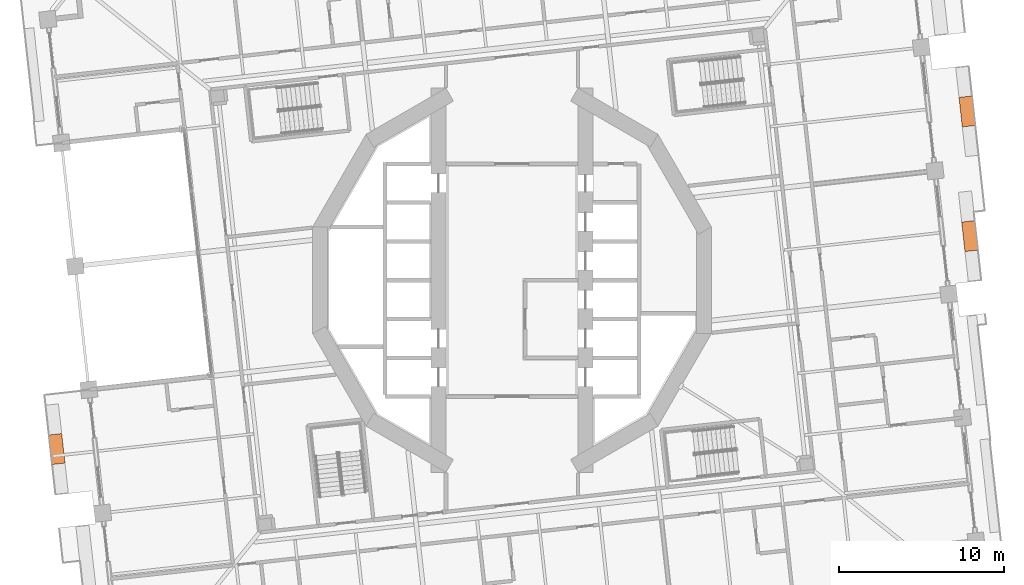
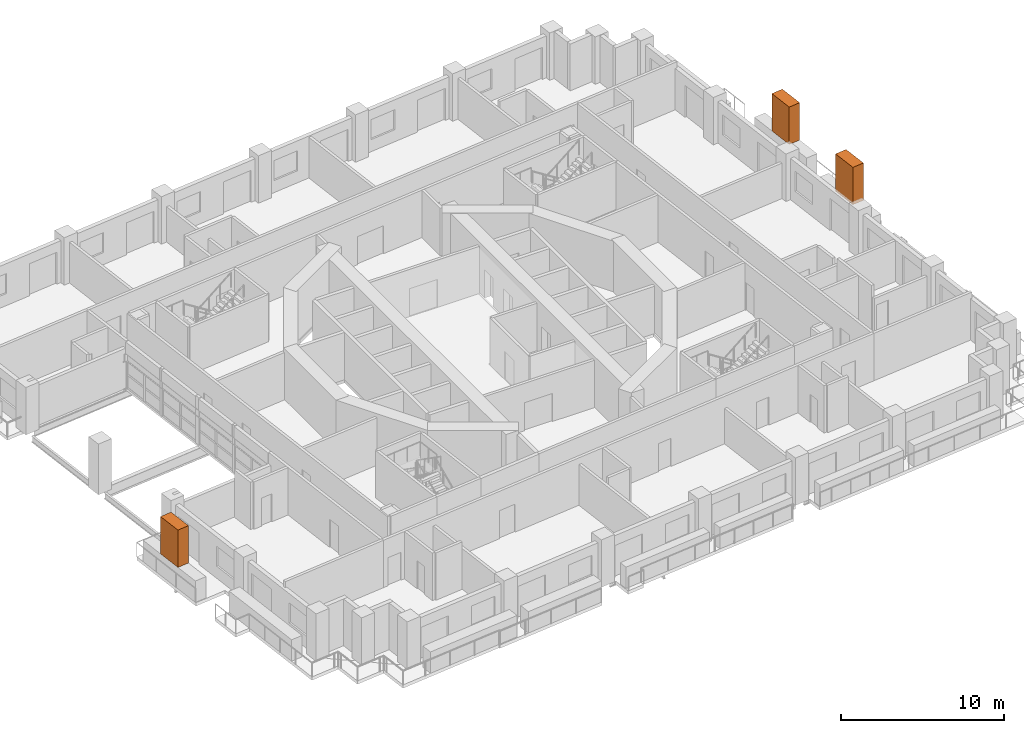
# One storey, part 21 of 21: 3 proxies.
"""IFC4 building model written with IfcOpenShell, lengths in metres."""

from ifc_helpers import new_model, si_unit, direction, frame, origin, origin_2d, place, context, subcontext, project, spatial, rectangle, extrude, element, save


model = new_model("IFC4")

# Units and contexts
model_context = context("Model", 3, precision=1e-05, world=origin(), true_north=direction((0.0, 1.0)))
body_context = subcontext(model_context, "Body", "Model", "MODEL_VIEW")
ifc_project = project(units=[si_unit("LENGTHUNIT", "METRE"), si_unit("AREAUNIT", "SQUARE_METRE"), si_unit("VOLUMEUNIT", "CUBIC_METRE"), si_unit("PLANEANGLEUNIT", "RADIAN"), si_unit("MASSUNIT", "GRAM", prefix="KILO")], contexts=[model_context])

# Site, building, storey
site_placement = place(None, origin())
site = spatial("IfcSite", under=ifc_project, at=site_placement, CompositionType="ELEMENT")
building_placement = place(site_placement, origin())
building = spatial("IfcBuilding", under=site, at=building_placement, Name="Cantera Rosa Tower", CompositionType="ELEMENT")
storey_placement = place(building_placement, frame((0.0, 0.0, 72.89990234375)))
storey = spatial("IfcBuildingStorey", under=building, at=storey_placement, Name="L15", CompositionType="ELEMENT", Elevation=72.89990234375)

# Proxies
for number, where, z_axis, x_axis, name in (
    (1, (27.733642578125, 2.67578125, 1.60009765625), (0.0, 0.0, 1.0), (-0.110312555526, 0.993896946415, 0.0), "TREE L15-03"),
    (2, (27.5732421875, 10.22412109375, 1.60009765625), (0.0, 0.0, 1.0), (-0.110312555526, 0.993896946415, 0.0), "TREE L15-04"),
    (3, (-27.5732421875, -10.22412109375, 1.60009765625), (0.0, 0.0, 1.0), (0.110312555526, -0.993896946415, 0.0), "TREE L15-15"),
):
    element("IfcBuildingElementProxy", number, at=place(storey_placement, frame(where, z_axis=z_axis, x_axis=x_axis)), inside=storey, Name=name, ObjectType="TREE", PredefinedType="USERDEFINED", context=body_context, shape_type="SweptSolid", body=[
        extrude(rectangle(XDim=1.800048828125, YDim=0.800048828125, at=origin_2d()), origin(), (0.0, 0.0, 1.0), 2.800048828125),
    ])

save(model, "model.ifc")
